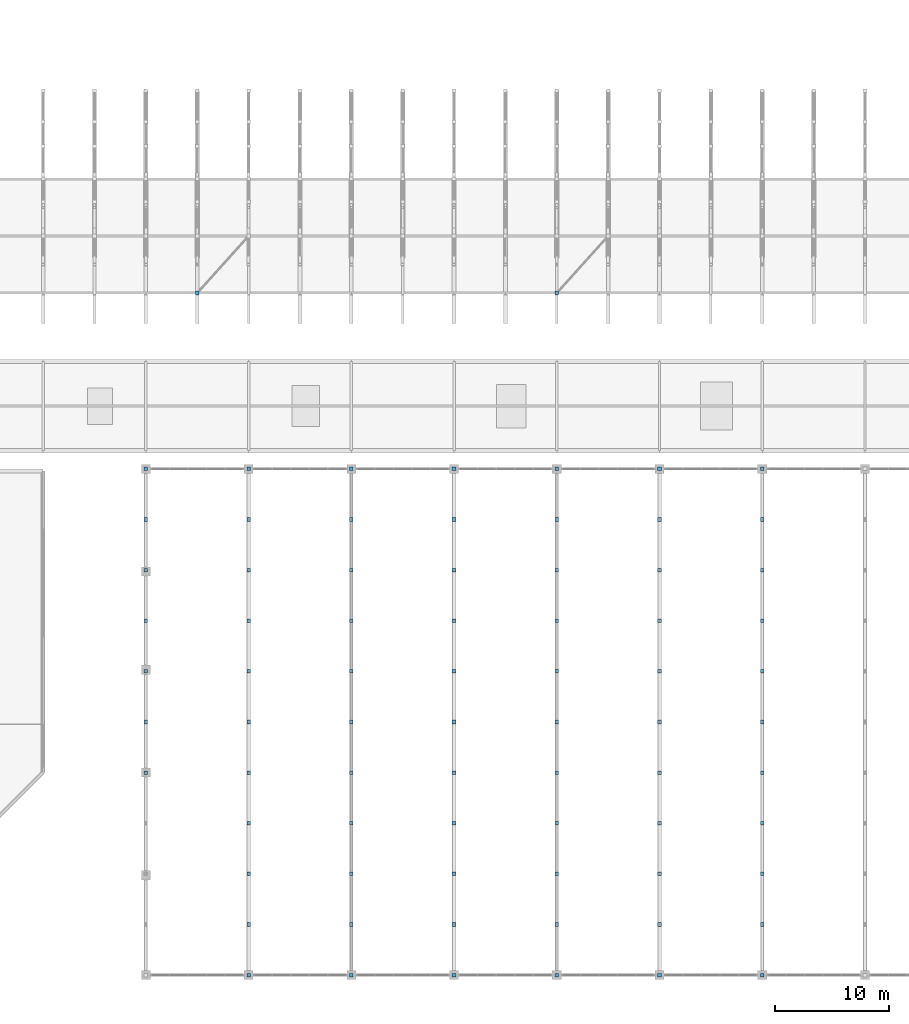
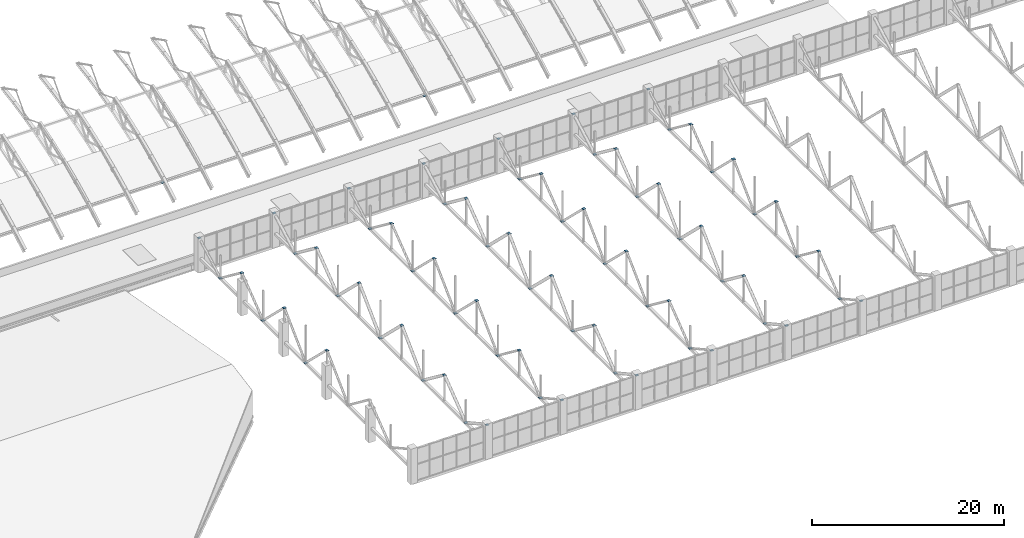
# One storey, part 95 of 103: 75 discrete accessories.
"""IFC4 building model written with IfcOpenShell, lengths in metres."""

from ifc_helpers import new_model, si_unit, direction, frame, origin, origin_2d, place, context, subcontext, project, spatial, rectangle, extrude, material, type_object, element, save


model = new_model("IFC4")

# Units and contexts
model_context = context("Model", 3, precision=1e-05, world=origin(), true_north=direction((0.0, 1.0)))
body_context = subcontext(model_context, "Body", "Model", "MODEL_VIEW")
ifc_project = project(units=[si_unit("LENGTHUNIT", "METRE"), si_unit("AREAUNIT", "SQUARE_METRE"), si_unit("VOLUMEUNIT", "CUBIC_METRE"), si_unit("PLANEANGLEUNIT", "RADIAN"), si_unit("MASSUNIT", "GRAM", prefix="KILO")], contexts=[model_context])

# Site, building, storey
site_placement = place(None, origin())
site = spatial("IfcSite", under=ifc_project, at=site_placement, CompositionType="ELEMENT")
building_placement = place(site_placement, origin())
building = spatial("IfcBuilding", under=site, at=building_placement, Name="Cazmaro Siding Exhibition Halls", CompositionType="ELEMENT")
storey_placement = place(building_placement, frame((0.0, 0.0, 16.5)))
storey = spatial("IfcBuildingStorey", under=building, at=storey_placement, Name="L03", CompositionType="ELEMENT", Elevation=16.5)

# Discrete accessories
ifc_material = material(Name="Steel ASTM A572 Grade 50", Category="steel")
discrete_accessory_type = type_object("IfcDiscreteAccessoryType", Name="GP-CONN-01", PredefinedType="BRACKET", material=ifc_material)
for number, where, z_axis, x_axis, name in (
    (1, (72.0, 26.989990234375, 5.98974609375), (0.0, 0.0, 1.0), (1.0, 0.0, 0.0), "Welded Steel Brace Node Gusset Connection GP-01 0186"),
    (2, (72.0, 31.425048828125, 1.68505859375), (0.0, 0.0, 1.0), (1.0, 0.0, 0.0), "Welded Steel Brace Node Gusset Connection GP-01 0187"),
    (3, (72.0, 35.860107421875, 5.98974609375), (0.0, 0.0, 1.0), (1.0, 0.0, 0.0), "Welded Steel Brace Node Gusset Connection GP-01 0188"),
    (4, (72.0, 40.294921875, 1.68505859375), (0.0, 0.0, 1.0), (1.0, 0.0, 0.0), "Welded Steel Brace Node Gusset Connection GP-01 0189"),
    (5, (72.0, 44.72998046875, 5.05810546875), (0.0, 0.0, 1.0), (1.0, 0.0, 0.0), "Welded Steel Brace Node Gusset Connection GP-01 0190"),
    (6, (72.0, 49.1650390625, 1.68505859375), (0.0, 0.0, 1.0), (1.0, 0.0, 0.0), "Welded Steel Brace Node Gusset Connection GP-01 0191"),
    (7, (72.0, 53.60009765625, 4.125), (0.0, 0.0, 1.0), (1.0, 0.0, 0.0), "Welded Steel Brace Node Gusset Connection GP-01 0192"),
    (8, (76.5, 69.0, 0.24609375), (0.0, 0.0, 1.0), (1.0, 0.0, 0.0), "Welded Steel Brace Node Gusset Connection GP-01 0217"),
    (9, (81.0, 9.25, 4.125), (0.0, 0.0, 1.0), (1.0, 0.0, 0.0), "Welded Steel Brace Node Gusset Connection GP-01 0242"),
    (10, (81.0, 13.68505859375, 1.68505859375), (0.0, 0.0, 1.0), (1.0, 0.0, 0.0), "Welded Steel Brace Node Gusset Connection GP-01 0243"),
    (11, (81.0, 18.1201171875, 5.05810546875), (0.0, 0.0, 1.0), (1.0, 0.0, 0.0), "Welded Steel Brace Node Gusset Connection GP-01 0244"),
    (12, (81.0, 22.554931640625, 1.68505859375), (0.0, 0.0, 1.0), (1.0, 0.0, 0.0), "Welded Steel Brace Node Gusset Connection GP-01 0245"),
    (13, (81.0, 26.989990234375, 5.98974609375), (0.0, 0.0, 1.0), (1.0, 0.0, 0.0), "Welded Steel Brace Node Gusset Connection GP-01 0246"),
    (14, (81.0, 31.425048828125, 1.68505859375), (0.0, 0.0, 1.0), (1.0, 0.0, 0.0), "Welded Steel Brace Node Gusset Connection GP-01 0247"),
    (15, (81.0, 35.860107421875, 5.98974609375), (0.0, 0.0, 1.0), (1.0, 0.0, 0.0), "Welded Steel Brace Node Gusset Connection GP-01 0248"),
    (16, (81.0, 40.294921875, 1.68505859375), (0.0, 0.0, 1.0), (1.0, 0.0, 0.0), "Welded Steel Brace Node Gusset Connection GP-01 0249"),
    (17, (81.0, 44.72998046875, 5.05810546875), (0.0, 0.0, 1.0), (1.0, 0.0, 0.0), "Welded Steel Brace Node Gusset Connection GP-01 0250"),
    (18, (81.0, 49.1650390625, 1.68505859375), (0.0, 0.0, 1.0), (1.0, 0.0, 0.0), "Welded Steel Brace Node Gusset Connection GP-01 0251"),
    (19, (81.0, 53.60009765625, 4.125), (0.0, 0.0, 1.0), (1.0, 0.0, 0.0), "Welded Steel Brace Node Gusset Connection GP-01 0252"),
    (20, (90.0, 9.25, 4.125), (0.0, 0.0, 1.0), (1.0, 0.0, 0.0), "Welded Steel Brace Node Gusset Connection GP-01 0301"),
    (21, (90.0, 13.68505859375, 1.68505859375), (0.0, 0.0, 1.0), (1.0, 0.0, 0.0), "Welded Steel Brace Node Gusset Connection GP-01 0302"),
    (22, (90.0, 18.1201171875, 5.05810546875), (0.0, 0.0, 1.0), (1.0, 0.0, 0.0), "Welded Steel Brace Node Gusset Connection GP-01 0303"),
    (23, (90.0, 22.554931640625, 1.68505859375), (0.0, 0.0, 1.0), (1.0, 0.0, 0.0), "Welded Steel Brace Node Gusset Connection GP-01 0304"),
    (24, (90.0, 26.989990234375, 5.98974609375), (0.0, 0.0, 1.0), (1.0, 0.0, 0.0), "Welded Steel Brace Node Gusset Connection GP-01 0305"),
    (25, (90.0, 31.425048828125, 1.68505859375), (0.0, 0.0, 1.0), (1.0, 0.0, 0.0), "Welded Steel Brace Node Gusset Connection GP-01 0306"),
    (26, (90.0, 35.860107421875, 5.98974609375), (0.0, 0.0, 1.0), (1.0, 0.0, 0.0), "Welded Steel Brace Node Gusset Connection GP-01 0307"),
    (27, (90.0, 40.294921875, 1.68505859375), (0.0, 0.0, 1.0), (1.0, 0.0, 0.0), "Welded Steel Brace Node Gusset Connection GP-01 0308"),
    (28, (90.0, 44.72998046875, 5.05810546875), (0.0, 0.0, 1.0), (1.0, 0.0, 0.0), "Welded Steel Brace Node Gusset Connection GP-01 0309"),
    (29, (90.0, 49.1650390625, 1.68505859375), (0.0, 0.0, 1.0), (1.0, 0.0, 0.0), "Welded Steel Brace Node Gusset Connection GP-01 0310"),
    (30, (90.0, 53.60009765625, 4.125), (0.0, 0.0, 1.0), (1.0, 0.0, 0.0), "Welded Steel Brace Node Gusset Connection GP-01 0311"),
    (31, (99.0, 9.25, 4.125), (0.0, 0.0, 1.0), (1.0, 0.0, 0.0), "Welded Steel Brace Node Gusset Connection GP-01 0356"),
    (32, (99.0, 13.68505859375, 1.68505859375), (0.0, 0.0, 1.0), (1.0, 0.0, 0.0), "Welded Steel Brace Node Gusset Connection GP-01 0357"),
    (33, (99.0, 18.1201171875, 5.05810546875), (0.0, 0.0, 1.0), (1.0, 0.0, 0.0), "Welded Steel Brace Node Gusset Connection GP-01 0358"),
    (34, (99.0, 22.554931640625, 1.68505859375), (0.0, 0.0, 1.0), (1.0, 0.0, 0.0), "Welded Steel Brace Node Gusset Connection GP-01 0359"),
    (35, (99.0, 26.989990234375, 5.98974609375), (0.0, 0.0, 1.0), (1.0, 0.0, 0.0), "Welded Steel Brace Node Gusset Connection GP-01 0360"),
    (36, (99.0, 31.425048828125, 1.68505859375), (0.0, 0.0, 1.0), (1.0, 0.0, 0.0), "Welded Steel Brace Node Gusset Connection GP-01 0361"),
    (37, (99.0, 35.860107421875, 5.98974609375), (0.0, 0.0, 1.0), (1.0, 0.0, 0.0), "Welded Steel Brace Node Gusset Connection GP-01 0362"),
    (38, (99.0, 40.294921875, 1.68505859375), (0.0, 0.0, 1.0), (1.0, 0.0, 0.0), "Welded Steel Brace Node Gusset Connection GP-01 0363"),
    (39, (99.0, 44.72998046875, 5.05810546875), (0.0, 0.0, 1.0), (1.0, 0.0, 0.0), "Welded Steel Brace Node Gusset Connection GP-01 0364"),
    (40, (99.0, 49.1650390625, 1.68505859375), (0.0, 0.0, 1.0), (1.0, 0.0, 0.0), "Welded Steel Brace Node Gusset Connection GP-01 0365"),
    (41, (99.0, 53.60009765625, 4.125), (0.0, 0.0, 1.0), (1.0, 0.0, 0.0), "Welded Steel Brace Node Gusset Connection GP-01 0366"),
    (42, (108.0, 9.25, 4.125), (0.0, 0.0, 1.0), (1.0, 0.0, 0.0), "Welded Steel Brace Node Gusset Connection GP-01 0411"),
    (43, (108.0, 13.68505859375, 1.68505859375), (0.0, 0.0, 1.0), (1.0, 0.0, 0.0), "Welded Steel Brace Node Gusset Connection GP-01 0412"),
    (44, (108.0, 18.1201171875, 5.05810546875), (0.0, 0.0, 1.0), (1.0, 0.0, 0.0), "Welded Steel Brace Node Gusset Connection GP-01 0413"),
    (45, (108.0, 22.554931640625, 1.68505859375), (0.0, 0.0, 1.0), (1.0, 0.0, 0.0), "Welded Steel Brace Node Gusset Connection GP-01 0414"),
    (46, (108.0, 26.989990234375, 5.98974609375), (0.0, 0.0, 1.0), (1.0, 0.0, 0.0), "Welded Steel Brace Node Gusset Connection GP-01 0415"),
    (47, (108.0, 31.425048828125, 1.68505859375), (0.0, 0.0, 1.0), (1.0, 0.0, 0.0), "Welded Steel Brace Node Gusset Connection GP-01 0416"),
    (48, (108.0, 35.860107421875, 5.98974609375), (0.0, 0.0, 1.0), (1.0, 0.0, 0.0), "Welded Steel Brace Node Gusset Connection GP-01 0417"),
    (49, (108.0, 40.294921875, 1.68505859375), (0.0, 0.0, 1.0), (1.0, 0.0, 0.0), "Welded Steel Brace Node Gusset Connection GP-01 0418"),
    (50, (108.0, 44.72998046875, 5.05810546875), (0.0, 0.0, 1.0), (1.0, 0.0, 0.0), "Welded Steel Brace Node Gusset Connection GP-01 0419"),
    (51, (108.0, 49.1650390625, 1.68505859375), (0.0, 0.0, 1.0), (1.0, 0.0, 0.0), "Welded Steel Brace Node Gusset Connection GP-01 0420"),
    (52, (108.0, 53.60009765625, 4.125), (0.0, 0.0, 1.0), (1.0, 0.0, 0.0), "Welded Steel Brace Node Gusset Connection GP-01 0421"),
    (53, (108.0, 69.0, 0.24609375), (0.0, 0.0, 1.0), (1.0, 0.0, 0.0), "Welded Steel Brace Node Gusset Connection GP-01 0424"),
    (54, (117.0, 9.25, 4.125), (0.0, 0.0, 1.0), (1.0, 0.0, 0.0), "Welded Steel Brace Node Gusset Connection GP-01 0475"),
    (55, (117.0, 13.68505859375, 1.68505859375), (0.0, 0.0, 1.0), (1.0, 0.0, 0.0), "Welded Steel Brace Node Gusset Connection GP-01 0476"),
    (56, (117.0, 18.1201171875, 5.05810546875), (0.0, 0.0, 1.0), (1.0, 0.0, 0.0), "Welded Steel Brace Node Gusset Connection GP-01 0477"),
    (57, (117.0, 22.554931640625, 1.68505859375), (0.0, 0.0, 1.0), (1.0, 0.0, 0.0), "Welded Steel Brace Node Gusset Connection GP-01 0478"),
    (58, (117.0, 26.989990234375, 5.98974609375), (0.0, 0.0, 1.0), (1.0, 0.0, 0.0), "Welded Steel Brace Node Gusset Connection GP-01 0479"),
    (59, (117.0, 31.425048828125, 1.68505859375), (0.0, 0.0, 1.0), (1.0, 0.0, 0.0), "Welded Steel Brace Node Gusset Connection GP-01 0480"),
    (60, (117.0, 35.860107421875, 5.98974609375), (0.0, 0.0, 1.0), (1.0, 0.0, 0.0), "Welded Steel Brace Node Gusset Connection GP-01 0481"),
    (61, (117.0, 40.294921875, 1.68505859375), (0.0, 0.0, 1.0), (1.0, 0.0, 0.0), "Welded Steel Brace Node Gusset Connection GP-01 0482"),
    (62, (117.0, 44.72998046875, 5.05810546875), (0.0, 0.0, 1.0), (1.0, 0.0, 0.0), "Welded Steel Brace Node Gusset Connection GP-01 0483"),
    (63, (117.0, 49.1650390625, 1.68505859375), (0.0, 0.0, 1.0), (1.0, 0.0, 0.0), "Welded Steel Brace Node Gusset Connection GP-01 0484"),
    (64, (117.0, 53.60009765625, 4.125), (0.0, 0.0, 1.0), (1.0, 0.0, 0.0), "Welded Steel Brace Node Gusset Connection GP-01 0485"),
    (65, (126.0, 9.25, 4.125), (0.0, 0.0, 1.0), (1.0, 0.0, 0.0), "Welded Steel Brace Node Gusset Connection GP-01 0530"),
    (66, (126.0, 13.68505859375, 1.68505859375), (0.0, 0.0, 1.0), (1.0, 0.0, 0.0), "Welded Steel Brace Node Gusset Connection GP-01 0531"),
    (67, (126.0, 18.1201171875, 5.05810546875), (0.0, 0.0, 1.0), (1.0, 0.0, 0.0), "Welded Steel Brace Node Gusset Connection GP-01 0532"),
    (68, (126.0, 22.554931640625, 1.68505859375), (0.0, 0.0, 1.0), (1.0, 0.0, 0.0), "Welded Steel Brace Node Gusset Connection GP-01 0533"),
    (69, (126.0, 26.989990234375, 5.98974609375), (0.0, 0.0, 1.0), (1.0, 0.0, 0.0), "Welded Steel Brace Node Gusset Connection GP-01 0534"),
    (70, (126.0, 31.425048828125, 1.68505859375), (0.0, 0.0, 1.0), (1.0, 0.0, 0.0), "Welded Steel Brace Node Gusset Connection GP-01 0535"),
    (71, (126.0, 35.860107421875, 5.98974609375), (0.0, 0.0, 1.0), (1.0, 0.0, 0.0), "Welded Steel Brace Node Gusset Connection GP-01 0536"),
    (72, (126.0, 40.294921875, 1.68505859375), (0.0, 0.0, 1.0), (1.0, 0.0, 0.0), "Welded Steel Brace Node Gusset Connection GP-01 0537"),
    (73, (126.0, 44.72998046875, 5.05810546875), (0.0, 0.0, 1.0), (1.0, 0.0, 0.0), "Welded Steel Brace Node Gusset Connection GP-01 0538"),
    (74, (126.0, 49.1650390625, 1.68505859375), (0.0, 0.0, 1.0), (1.0, 0.0, 0.0), "Welded Steel Brace Node Gusset Connection GP-01 0539"),
    (75, (126.0, 53.60009765625, 4.125), (0.0, 0.0, 1.0), (1.0, 0.0, 0.0), "Welded Steel Brace Node Gusset Connection GP-01 0540"),
):
    element("IfcDiscreteAccessory", number, at=place(storey_placement, frame(where, z_axis=z_axis, x_axis=x_axis)), inside=storey, type_object=discrete_accessory_type, Name=name, PredefinedType="BRACKET", context=body_context, shape_type="SweptSolid", body=[
        extrude(rectangle(XDim=0.320068359375, YDim=0.320068359375, at=origin_2d()), origin(), (0.0, 0.0, 1.0), 0.030029296875),
    ])

save(model, "model.ifc")
